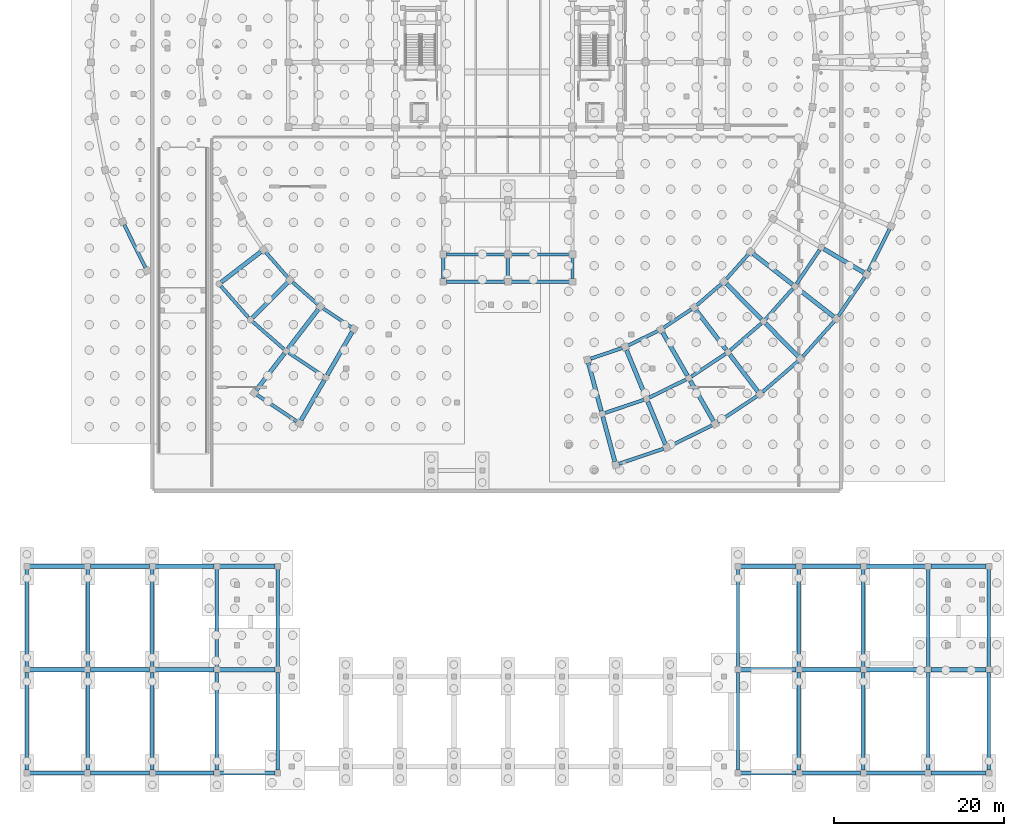
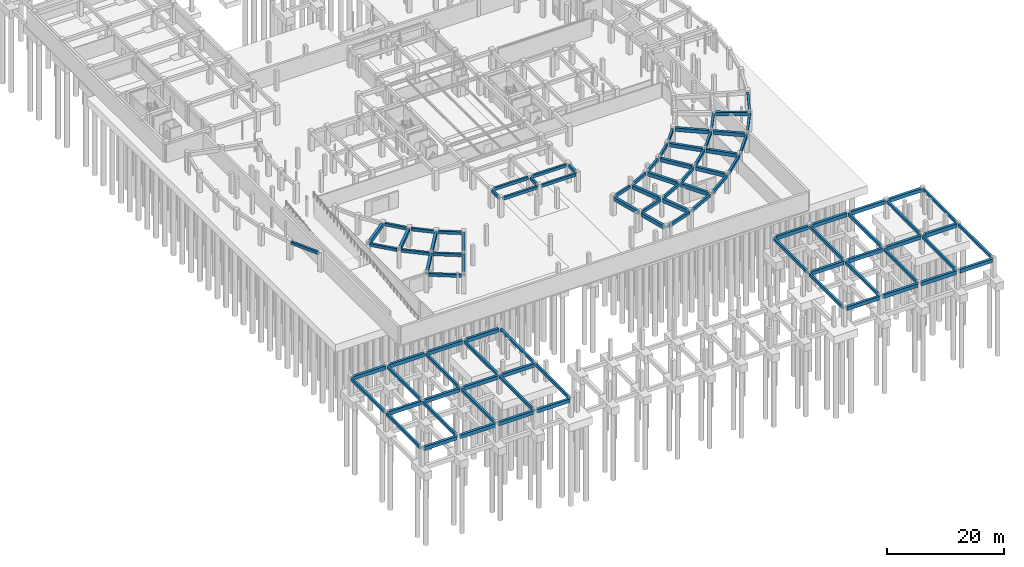
# One storey, part 18 of 33: 96 beams.
"""IFC4 building model written with IfcOpenShell, lengths in metres."""

import ifcopenshell
import ifcopenshell.guid

model = None  # the IFC model being written
_history = None  # IfcOwnerHistory: only IFC2X3 demands one
_inside = {}  # id of a spatial element -> (the spatial element, [elements in it])
_under = {}  # id of a project, library or spatial element -> (it, [spatial elements below it])
_declared = {}  # id of a project -> (the project, [libraries it declares])
_typed = {}  # id of a type object -> (the type object, [elements of that type])
_made_of = {}  # id of a material, layer set ... -> (it, [elements and type objects made of it])


def new_model(schema):
    """Start an empty IFC model of exactly this schema.

    Asked for "IFC4X3", IfcOpenShell would pick the latest addendum, in which some entities
    have other attributes; the version numbers below select the first issue.
    IFC2X3 requires an IfcOwnerHistory on every rooted entity: one is made here for all.
    """
    global model, _history
    if schema == "IFC4X3":
        model = ifcopenshell.file(schema_version=(4, 3, 0, 0))
    else:
        model = ifcopenshell.file(schema=schema)
    _inside.clear()
    _under.clear()
    _declared.clear()
    _typed.clear()
    _made_of.clear()
    _history = None
    if model.schema == "IFC2X3":
        org = make("IfcOrganization", Name="unknown")
        user = make(
            "IfcPersonAndOrganization",
            ThePerson=make("IfcPerson", FamilyName="unknown"),
            TheOrganization=org,
        )
        app = make(
            "IfcApplication",
            ApplicationDeveloper=org,
            Version="unknown",
            ApplicationFullName="unknown",
            ApplicationIdentifier="unknown",
        )
        _history = make(
            "IfcOwnerHistory",
            OwningUser=user,
            OwningApplication=app,
            ChangeAction="ADDED",
            CreationDate=0,
        )
    return model


def make(cls, **values):
    """One entity of the class cls with the attributes given. An attribute that is None is left unset."""
    return model.create_entity(
        cls, **{name: value for name, value in values.items() if value is not None}
    )


def rooted(cls, **values):
    """An entity with a GlobalId (a new one), such as an element, a storey or a relation."""
    return make(cls, GlobalId=ifcopenshell.guid.new(), OwnerHistory=_history, **values)


def si_unit(unit_type, name, prefix=None):
    """IfcSIUnit, for example si_unit("LENGTHUNIT", "METRE", prefix="MILLI")."""
    return make("IfcSIUnit", UnitType=unit_type, Prefix=prefix, Name=name)


def assignment(units):
    """IfcUnitAssignment: the units of a project."""
    return None if units is None else make("IfcUnitAssignment", Units=units)


def point(xyz):
    """IfcCartesianPoint."""
    return None if xyz is None else make("IfcCartesianPoint", Coordinates=xyz)


def direction(xyz):
    """IfcDirection."""
    return None if xyz is None else make("IfcDirection", DirectionRatios=xyz)


def frame(location, z_axis=None, x_axis=None):
    """IfcAxis2Placement3D, a coordinate frame: its origin and axes. An axis left out is left unset."""
    return make(
        "IfcAxis2Placement3D",
        Location=point(location),
        Axis=direction(z_axis),
        RefDirection=direction(x_axis),
    )


def frame_2d(location, x_axis=None):
    """IfcAxis2Placement2D, a coordinate frame in the plane: its origin and x axis."""
    return make(
        "IfcAxis2Placement2D", Location=point(location), RefDirection=direction(x_axis)
    )


def origin():
    """The frame at (0, 0, 0) with its axes left unset."""
    return frame((0.0, 0.0, 0.0))


def origin_2d():
    """The frame at (0, 0) in the plane with its x axis left unset."""
    return frame_2d((0.0, 0.0))


def place(relative_to, where):
    """IfcLocalPlacement: puts the frame where relative to a parent placement (None: the world)."""
    return make(
        "IfcLocalPlacement", PlacementRelTo=relative_to, RelativePlacement=where
    )


def context(
    kind, dimensions, precision=None, world=None, true_north=None, identifier=None
):
    """IfcGeometricRepresentationContext, for example the 3D "Model" context."""
    return make(
        "IfcGeometricRepresentationContext",
        ContextIdentifier=identifier,
        ContextType=kind,
        CoordinateSpaceDimension=dimensions,
        Precision=precision,
        WorldCoordinateSystem=world,
        TrueNorth=true_north,
    )


def subcontext(parent, identifier, kind, view, scale=None):
    """IfcGeometricRepresentationSubContext, for example "Body" below "Model"."""
    return make(
        "IfcGeometricRepresentationSubContext",
        ContextIdentifier=identifier,
        ContextType=kind,
        ParentContext=parent,
        TargetScale=scale,
        TargetView=view,
    )


def project(units=None, contexts=None):
    """IfcProject with its units and contexts."""
    return rooted(
        "IfcProject",
        Name="project",
        RepresentationContexts=contexts,
        UnitsInContext=assignment(units),
    )


def spatial(cls, under=None, at=None, **own):
    """A site, building, storey or space (cls), placed at a placement, below another one or the project."""
    s = rooted(cls, ObjectPlacement=at, **own)
    if under is not None:
        _under.setdefault(under.id(), (under, []))[1].append(s)
    return s


def profile(cls, at=None, kind="AREA", **sizes):
    """A parametric profile (cls). Its sizes go by their IFC names, for example OverallWidth=200.0."""
    return make(cls, ProfileType=kind, Position=at, **sizes)


def rectangle(**sizes):
    """IfcRectangleProfileDef."""
    return profile("IfcRectangleProfileDef", **sizes)


def extrude(swept, where, along, depth):
    """IfcExtrudedAreaSolid: the profile swept, set in the frame where, extruded along a direction by depth."""
    return make(
        "IfcExtrudedAreaSolid",
        SweptArea=swept,
        Position=where,
        ExtrudedDirection=direction(along),
        Depth=depth,
    )


def shape(context_of_items, identifier, shape_type, items):
    """IfcShapeRepresentation: the items that make up one representation, for example the "Body"."""
    return make(
        "IfcShapeRepresentation",
        ContextOfItems=context_of_items,
        RepresentationIdentifier=identifier,
        RepresentationType=shape_type,
        Items=items,
    )


def material(Name=None, Category=None):
    """IfcMaterial."""
    return make("IfcMaterial", Name=Name, Category=Category)


def material_profile(
    of_material, cross_section, Name=None, Category=None, Priority=None
):
    """IfcMaterialProfile: a cross section and its material."""
    return make(
        "IfcMaterialProfile",
        Name=Name,
        Material=of_material,
        Profile=cross_section,
        Priority=Priority,
        Category=Category,
    )


def profile_set(profiles, Name=None, composite=None):
    """IfcMaterialProfileSet."""
    return make(
        "IfcMaterialProfileSet",
        Name=Name,
        MaterialProfiles=profiles,
        CompositeProfile=composite,
    )


def made_of(thing, what):
    """Note that an element or type object is made of a material, layer set ...; save() writes the relation."""
    if what is not None:
        _made_of.setdefault(what.id(), (what, []))[1].append(thing)
    return thing


def type_object(cls, material=None, **own):
    """A type object (cls), such as IfcWallType, which elements share."""
    return made_of(rooted(cls, **own), material)


def element(
    cls,
    number,
    at=None,
    inside=None,
    cuts=None,
    type_object=None,
    material=None,
    context=None,
    identifier="Body",
    shape_type=None,
    held_by="IfcProductDefinitionShape",
    body=None,
    shapes=None,
    **own,
):
    """One element of the class cls, such as IfcWall. Its Tag is "e" and its number.

    at: its placement. inside: the storey or other place that contains it. cuts: it is an
    opening in that element (IfcRelVoidsElement). A single representation is given by context,
    identifier, shape_type and body (its items); several are given by shapes. held_by: the class
    of the entity that holds the representations. save() writes the other relations.
    """
    e = rooted(cls, Tag="e%d" % number, ObjectPlacement=at, **own)
    if body is not None:
        shapes = [shape(context, identifier, shape_type, body)]
    if shapes is not None:
        e.Representation = make(held_by, Representations=shapes)
    if inside is not None:
        _inside.setdefault(inside.id(), (inside, []))[1].append(e)
    if cuts is not None:
        rooted(
            "IfcRelVoidsElement", RelatingBuildingElement=cuts, RelatedOpeningElement=e
        )
    if type_object is not None:
        _typed.setdefault(type_object.id(), (type_object, []))[1].append(e)
    return made_of(e, material)


def aggregate(whole, parts):
    """IfcRelAggregates: a whole, such as a stair, and the parts it consists of."""
    return rooted("IfcRelAggregates", RelatingObject=whole, RelatedObjects=parts)


def save(model, path):
    """Write the relations noted so far, then the file.

    IfcRelAggregates (storeys below a building ...), IfcRelContainedInSpatialStructure (elements
    in a storey), IfcRelDefinesByType, IfcRelAssociatesMaterial and IfcRelDeclares: one each for
    every whole, place, type object, material and project.
    """
    for whole, parts in _under.values():
        aggregate(whole, parts)
    for where, things in _inside.values():
        rooted(
            "IfcRelContainedInSpatialStructure",
            RelatedElements=things,
            RelatingStructure=where,
        )
    for kind, things in _typed.values():
        rooted("IfcRelDefinesByType", RelatedObjects=things, RelatingType=kind)
    for what, things in _made_of.values():
        rooted("IfcRelAssociatesMaterial", RelatedObjects=things, RelatingMaterial=what)
    for by, libraries in _declared.values():
        rooted("IfcRelDeclares", RelatingContext=by, RelatedDefinitions=libraries)
    model.write(path)


model = new_model("IFC4")

# Units and contexts
model_context = context("Model", 3, precision=1e-05, world=origin(), true_north=direction((0.0, 1.0)))
body_context = subcontext(model_context, "Body", "Model", "MODEL_VIEW")
ifc_project = project(units=[si_unit("LENGTHUNIT", "METRE"), si_unit("AREAUNIT", "SQUARE_METRE"), si_unit("VOLUMEUNIT", "CUBIC_METRE"), si_unit("PLANEANGLEUNIT", "RADIAN"), si_unit("MASSUNIT", "GRAM", prefix="KILO")], contexts=[model_context])

# Site, building, storey
site_placement = place(None, origin())
site = spatial("IfcSite", under=ifc_project, at=site_placement, CompositionType="ELEMENT")
building_placement = place(site_placement, origin())
building = spatial("IfcBuilding", under=site, at=building_placement, Name="Saryqyr Civic Hall", CompositionType="ELEMENT")
storey_placement = place(building_placement, frame((0.0, 0.0, -4.199951171875)))
storey = spatial("IfcBuildingStorey", under=building, at=storey_placement, Name="B1", CompositionType="ELEMENT", Elevation=-4.199951171875)

# Beams
ifc_material_1 = material(Name="Concrete C35/45", Category="concrete")
ifc_material_profile_1 = material_profile(ifc_material_1, rectangle(XDim=0.39990234375, YDim=0.60009765625, at=origin_2d()), Name="RC 400x600")
ifc_profile_set_1 = profile_set([ifc_material_profile_1], Name="Concrete C35/45")
beam_type_1 = type_object("IfcBeamType", Name="STR-BM-RC400x600", PredefinedType="BEAM", material=ifc_profile_set_1)
for number, where, z_axis, x_axis, name in (
    (1, (49.39990234375, 58.574951171875, 3.579833984375), (0.0, 1.0, 0.0), (-1.0, 0.0, 0.0), "Beam V1-TBM-07-B1"),
    (2, (57.0, 58.574951171875, 3.579833984375), (0.0, 1.0, 0.0), (-1.0, 0.0, 0.0), "Beam V1-TBM-08-B1"),
    (3, (64.60009765625, 58.574951171875, 3.579833984375), (0.0, 1.0, 0.0), (-1.0, 0.0, 0.0), "Beam V1-TBM-09-B1"),
):
    element("IfcBeam", number, at=place(storey_placement, frame(where, z_axis=z_axis, x_axis=x_axis)), inside=storey, type_object=beam_type_1, Name=name, PredefinedType="BEAM", context=body_context, shape_type="SweptSolid", body=[
        extrude(rectangle(XDim=0.39990234375, YDim=0.60009765625, at=origin_2d()), origin(), (0.0, 0.0, 1.0), 2.449951171875),
    ])
for number, where, z_axis, x_axis, name in (
    (4, (49.77490234375, 58.199951171875, 3.579833984375), (1.0, 0.0, 0.0), (0.0, 1.0, 0.0), "Beam V1-TBM-17-B1"),
    (5, (57.375, 58.199951171875, 3.579833984375), (1.0, 0.0, 0.0), (0.0, 1.0, 0.0), "Beam V1-TBM-18-B1"),
    (6, (49.77490234375, 61.39990234375, 3.579833984375), (1.0, 0.0, 0.0), (0.0, 1.0, 0.0), "Beam V1-TBM-37-B1"),
    (7, (57.375, 61.39990234375, 3.579833984375), (1.0, 0.0, 0.0), (0.0, 1.0, 0.0), "Beam V1-TBM-38-B1"),
):
    element("IfcBeam", number, at=place(storey_placement, frame(where, z_axis=z_axis, x_axis=x_axis)), inside=storey, type_object=beam_type_1, Name=name, PredefinedType="BEAM", context=body_context, shape_type="SweptSolid", body=[
        extrude(rectangle(XDim=0.39990234375, YDim=0.60009765625, at=origin_2d()), origin(), (0.0, 0.0, 1.0), 6.85009765625),
    ])
for number, where, z_axis, x_axis, name in (
    (8, (23.275390625, 57.681884765625, 3.579833984375), (0.659287582, -0.751890872547, 0.0), (0.751890872547, 0.659287582, 0.0), "Beam V4-CBM-MID07-B1"),
    (9, (26.998779296875, 53.5048828125, 3.579833984375), (0.751890872547, -0.659287582, 0.0), (0.659287582, 0.751890872547, 0.0), "Beam V4-CBM-MID08-B1"),
    (10, (31.236083984375, 49.85009765625, 3.579833984375), (0.831474774382, -0.555562507345, 0.0), (0.555562507345, 0.831474774382, 0.0), "Beam V4-CBM-MID09-B1"),
):
    element("IfcBeam", number, at=place(storey_placement, frame(where, z_axis=z_axis, x_axis=x_axis)), inside=storey, type_object=beam_type_1, Name=name, PredefinedType="BEAM", context=body_context, shape_type="SweptSolid", body=[
        extrude(rectangle(XDim=0.39990234375, YDim=0.60009765625, at=origin_2d()), origin(), (0.0, 0.0, 1.0), 4.8984375),
    ])
for number, where, z_axis, x_axis, name in (
    (11, (68.408935546875, 42.7705078125, 3.579833984375), (0.947191159228, 0.320669468268, 0.0), (-0.320669468268, 0.947191159228, 0.0), "Beam V5-CBM-MID00-B1"),
    (12, (73.627685546875, 44.5849609375, 3.579833984375), (0.897959126553, 0.440078864568, 0.0), (-0.440078864568, 0.897959126553, 0.0), "Beam V5-CBM-MID01-B1"),
    (13, (78.56884765625, 47.056640625, 3.579833984375), (0.833757954483, 0.552130123555, 0.0), (-0.552130123555, 0.833757954483, 0.0), "Beam V5-CBM-MID02-B1"),
    (14, (83.150390625, 50.14453125, 3.579833984375), (0.755632347986, 0.654995995925, 0.0), (-0.654995995925, 0.755632347986, 0.0), "Beam V5-CBM-MID03-B1"),
):
    element("IfcBeam", number, at=place(storey_placement, frame(where, z_axis=z_axis, x_axis=x_axis)), inside=storey, type_object=beam_type_1, Name=name, PredefinedType="BEAM", context=body_context, shape_type="SweptSolid", body=[
        extrude(rectangle(XDim=0.39990234375, YDim=0.60009765625, at=origin_2d()), origin(), (0.0, 0.0, 1.0), 4.82763671875),
    ])
beam_1_placement = place(storey_placement, frame((87.29541015625, 53.797119140625, 3.579833984375), z_axis=(0.664931763448, 0.746904110284, 0.0), x_axis=(-0.746904110284, 0.664931763448, 0.0)))
element("IfcBeam", 15, at=beam_1_placement, inside=storey, type_object=beam_type_1, Name="Beam V5-CBM-MID04-B1", PredefinedType="BEAM", context=body_context, shape_type="SweptSolid", body=[
    extrude(rectangle(XDim=0.39990234375, YDim=0.60009765625, at=origin_2d()), origin(), (0.0, 0.0, 1.0), 4.827880859375),
])
beam_2_placement = place(storey_placement, frame((90.935546875, 57.95361328125, 3.579833984375), z_axis=(0.563109268965, 0.82638244851, 0.0), x_axis=(-0.82638244851, 0.563109268965, 0.0)))
element("IfcBeam", 16, at=beam_2_placement, inside=storey, type_object=beam_type_1, Name="Beam V5-CBM-MID05-B1", PredefinedType="BEAM", context=body_context, shape_type="SweptSolid", body=[
    extrude(rectangle(XDim=0.39990234375, YDim=0.60009765625, at=origin_2d()), origin(), (0.0, 0.0, 1.0), 4.82763671875),
])
for number, where, z_axis, x_axis, name in (
    (17, (0.449951171875, 0.77490234375, 3.579833984375), (0.0, 1.0, 0.0), (-1.0, 0.0, 0.0), "Beam V7W-BM-NS11-B1"),
    (18, (0.449951171875, 12.925048828125, 3.579833984375), (0.0, 1.0, 0.0), (-1.0, 0.0, 0.0), "Beam V7W-BM-NS12-B1"),
    (19, (7.60009765625, 0.77490234375, 3.579833984375), (0.0, 1.0, 0.0), (-1.0, 0.0, 0.0), "Beam V7W-BM-NS21-B1"),
    (20, (7.60009765625, 12.925048828125, 3.579833984375), (0.0, 1.0, 0.0), (-1.0, 0.0, 0.0), "Beam V7W-BM-NS22-B1"),
    (21, (15.199951171875, 0.77490234375, 3.579833984375), (0.0, 1.0, 0.0), (-1.0, 0.0, 0.0), "Beam V7W-BM-NS31-B1"),
    (22, (15.199951171875, 12.925048828125, 3.579833984375), (0.0, 1.0, 0.0), (-1.0, 0.0, 0.0), "Beam V7W-BM-NS32-B1"),
    (23, (22.800048828125, 0.77490234375, 3.579833984375), (0.0, 1.0, 0.0), (-1.0, 0.0, 0.0), "Beam V7W-BM-NS41-B1"),
    (24, (22.800048828125, 12.925048828125, 3.579833984375), (0.0, 1.0, 0.0), (-1.0, 0.0, 0.0), "Beam V7W-BM-NS42-B1"),
    (25, (29.949951171875, 0.77490234375, 3.579833984375), (0.0, 1.0, 0.0), (-1.0, 0.0, 0.0), "Beam V7W-BM-NS51-B1"),
    (26, (29.949951171875, 12.925048828125, 3.579833984375), (0.0, 1.0, 0.0), (-1.0, 0.0, 0.0), "Beam V7W-BM-NS52-B1"),
    (27, (84.050048828125, 0.77490234375, 3.579833984375), (0.0, 1.0, 0.0), (-1.0, 0.0, 0.0), "Beam V7E-BM-NS11-B1"),
    (28, (84.050048828125, 12.925048828125, 3.579833984375), (0.0, 1.0, 0.0), (-1.0, 0.0, 0.0), "Beam V7E-BM-NS12-B1"),
    (29, (91.199951171875, 0.77490234375, 3.579833984375), (0.0, 1.0, 0.0), (-1.0, 0.0, 0.0), "Beam V7E-BM-NS21-B1"),
    (30, (91.199951171875, 12.925048828125, 3.579833984375), (0.0, 1.0, 0.0), (-1.0, 0.0, 0.0), "Beam V7E-BM-NS22-B1"),
    (31, (98.800048828125, 0.77490234375, 3.579833984375), (0.0, 1.0, 0.0), (-1.0, 0.0, 0.0), "Beam V7E-BM-NS31-B1"),
    (32, (98.800048828125, 12.925048828125, 3.579833984375), (0.0, 1.0, 0.0), (-1.0, 0.0, 0.0), "Beam V7E-BM-NS32-B1"),
    (33, (106.39990234375, 0.77490234375, 3.579833984375), (0.0, 1.0, 0.0), (-1.0, 0.0, 0.0), "Beam V7E-BM-NS41-B1"),
    (34, (106.39990234375, 12.925048828125, 3.579833984375), (0.0, 1.0, 0.0), (-1.0, 0.0, 0.0), "Beam V7E-BM-NS42-B1"),
    (35, (113.550048828125, 0.77490234375, 3.579833984375), (0.0, 1.0, 0.0), (-1.0, 0.0, 0.0), "Beam V7E-BM-NS51-B1"),
    (36, (113.550048828125, 12.925048828125, 3.579833984375), (0.0, 1.0, 0.0), (-1.0, 0.0, 0.0), "Beam V7E-BM-NS52-B1"),
):
    element("IfcBeam", number, at=place(storey_placement, frame(where, z_axis=z_axis, x_axis=x_axis)), inside=storey, type_object=beam_type_1, Name=name, PredefinedType="BEAM", context=body_context, shape_type="SweptSolid", body=[
        extrude(rectangle(XDim=0.39990234375, YDim=0.60009765625, at=origin_2d()), origin(), (0.0, 0.0, 1.0), 11.5),
    ])
ifc_material_profile_2 = material_profile(ifc_material_1, rectangle(XDim=0.39990234375, YDim=0.60009765625, at=origin_2d()), Name="RC 400x600")
ifc_profile_set_2 = profile_set([ifc_material_profile_2], Name="Concrete C35/45")
beam_type_2 = type_object("IfcBeamType", Name="STR-BM-RC400x600-EXT", PredefinedType="BEAM", material=ifc_profile_set_2)
beam_3_placement = place(storey_placement, frame((11.895751953125, 64.912109375, 3.579833984375), z_axis=(0.44228915683, -0.896872511426, 0.0), x_axis=(0.896872511426, 0.44228915683, 0.0)))
element("IfcBeam", 37, at=beam_3_placement, inside=storey, type_object=beam_type_2, Name="Beam V4-CBM-OUT05-B1", PredefinedType="BEAM", context=body_context, shape_type="SweptSolid", body=[
    extrude(rectangle(XDim=0.39990234375, YDim=0.60009765625, at=origin_2d()), origin(), (0.0, 0.0, 1.0), 5.65966796875),
])
for number, where, z_axis, x_axis, name in (
    (38, (28.52783203125, 61.680908203125, 3.579833984375), (0.659341239678, -0.751843819992, 0.0), (0.751843819992, 0.659341239678, 0.0), "Beam V4-CBM-IN07-B1"),
    (39, (31.6845703125, 58.155517578125, 3.579833984375), (0.751843819992, -0.659341239678, 0.0), (0.659341239678, 0.751843819992, 0.0), "Beam V4-CBM-IN08-B1"),
):
    element("IfcBeam", number, at=place(storey_placement, frame(where, z_axis=z_axis, x_axis=x_axis)), inside=storey, type_object=beam_type_2, Name=name, PredefinedType="BEAM", context=body_context, shape_type="SweptSolid", body=[
        extrude(rectangle(XDim=0.39990234375, YDim=0.60009765625, at=origin_2d()), origin(), (0.0, 0.0, 1.0), 3.9853515625),
    ])
beam_4_placement = place(storey_placement, frame((35.274658203125, 55.072265625, 3.579833984375), z_axis=(0.831456041641, -0.555590542414, 0.0), x_axis=(0.555590542414, 0.831456041641, 0.0)))
element("IfcBeam", 40, at=beam_4_placement, inside=storey, type_object=beam_type_2, Name="Beam V4-CBM-IN09-B1", PredefinedType="BEAM", context=body_context, shape_type="SweptSolid", body=[
    extrude(rectangle(XDim=0.39990234375, YDim=0.60009765625, at=origin_2d()), origin(), (0.0, 0.0, 1.0), 3.985107421875),
])
beam_5_placement = place(storey_placement, frame((27.482421875, 44.91748046875, 3.579833984375), z_axis=(0.831472466732, -0.55556596104, 0.0), x_axis=(0.55556596104, 0.831472466732, 0.0)))
element("IfcBeam", 41, at=beam_5_placement, inside=storey, type_object=beam_type_2, Name="Beam V4-CBM-OUT09-B1", PredefinedType="BEAM", context=body_context, shape_type="SweptSolid", body=[
    extrude(rectangle(XDim=0.39990234375, YDim=0.60009765625, at=origin_2d()), origin(), (0.0, 0.0, 1.0), 5.65966796875),
])
beam_6_placement = place(storey_placement, frame((66.724365234375, 49.15380859375, 3.579833984375), z_axis=(0.947205217556, 0.320627939885, 0.0), x_axis=(-0.320627939885, 0.947205217556, 0.0)))
element("IfcBeam", 42, at=beam_6_placement, inside=storey, type_object=beam_type_2, Name="Beam V5-CBM-IN00-B1", PredefinedType="BEAM", context=body_context, shape_type="SweptSolid", body=[
    extrude(rectangle(XDim=0.39990234375, YDim=0.60009765625, at=origin_2d()), origin(), (0.0, 0.0, 1.0), 3.92529296875),
])
beam_7_placement = place(storey_placement, frame((70.037353515625, 36.789794921875, 3.579833984375), z_axis=(0.947193680786, 0.320662020012, 0.0), x_axis=(-0.320662020012, 0.947193680786, 0.0)))
element("IfcBeam", 43, at=beam_7_placement, inside=storey, type_object=beam_type_2, Name="Beam V5-CBM-OUT00-B1", PredefinedType="BEAM", context=body_context, shape_type="SweptSolid", body=[
    extrude(rectangle(XDim=0.39990234375, YDim=0.60009765625, at=origin_2d()), origin(), (0.0, 0.0, 1.0), 5.57861328125),
])
beam_8_placement = place(storey_placement, frame((71.134521484375, 50.697509765625, 3.579833984375), z_axis=(0.897944339492, 0.440109035551, 0.0), x_axis=(-0.440109035551, 0.897944339492, 0.0)))
element("IfcBeam", 44, at=beam_8_placement, inside=storey, type_object=beam_type_2, Name="Beam V5-CBM-IN01-B1", PredefinedType="BEAM", context=body_context, shape_type="SweptSolid", body=[
    extrude(rectangle(XDim=0.39990234375, YDim=0.60009765625, at=origin_2d()), origin(), (0.0, 0.0, 1.0), 3.92529296875),
])
beam_9_placement = place(storey_placement, frame((76.01318359375, 38.864013671875, 3.579833984375), z_axis=(0.897987188785, 0.440021600353, 0.0), x_axis=(-0.440021600353, 0.897987188785, 0.0)))
element("IfcBeam", 45, at=beam_9_placement, inside=storey, type_object=beam_type_2, Name="Beam V5-CBM-OUT01-B1", PredefinedType="BEAM", context=body_context, shape_type="SweptSolid", body=[
    extrude(rectangle(XDim=0.39990234375, YDim=0.60009765625, at=origin_2d()), origin(), (0.0, 0.0, 1.0), 5.578369140625),
])
beam_10_placement = place(storey_placement, frame((75.30859375, 52.797119140625, 3.579833984375), z_axis=(0.83375915451, 0.55212831142, 0.0), x_axis=(-0.55212831142, 0.83375915451, 0.0)))
element("IfcBeam", 46, at=beam_10_placement, inside=storey, type_object=beam_type_2, Name="Beam V5-CBM-IN02-B1", PredefinedType="BEAM", context=body_context, shape_type="SweptSolid", body=[
    extrude(rectangle(XDim=0.39990234375, YDim=0.60009765625, at=origin_2d()), origin(), (0.0, 0.0, 1.0), 3.92529296875),
])
beam_11_placement = place(storey_placement, frame((81.671875, 41.690673828125, 3.579833984375), z_axis=(0.833756519885, 0.552132289899, 0.0), x_axis=(-0.552132289899, 0.833756519885, 0.0)))
element("IfcBeam", 47, at=beam_11_placement, inside=storey, type_object=beam_type_2, Name="Beam V5-CBM-OUT02-B1", PredefinedType="BEAM", context=body_context, shape_type="SweptSolid", body=[
    extrude(rectangle(XDim=0.39990234375, YDim=0.60009765625, at=origin_2d()), origin(), (0.0, 0.0, 1.0), 5.57861328125),
])
beam_12_placement = place(storey_placement, frame((79.177490234375, 55.4169921875, 3.579833984375), z_axis=(0.755662402658, 0.654961321919, 0.0), x_axis=(-0.654961321919, 0.755662402658, 0.0)))
element("IfcBeam", 48, at=beam_12_placement, inside=storey, type_object=beam_type_2, Name="Beam V5-CBM-IN03-B1", PredefinedType="BEAM", context=body_context, shape_type="SweptSolid", body=[
    extrude(rectangle(XDim=0.39990234375, YDim=0.60009765625, at=origin_2d()), origin(), (0.0, 0.0, 1.0), 3.925048828125),
])
beam_13_placement = place(storey_placement, frame((86.9189453125, 45.223388671875, 3.579833984375), z_axis=(0.755642872399, 0.654983854299, 0.0), x_axis=(-0.654983854299, 0.755642872399, 0.0)))
element("IfcBeam", 49, at=beam_13_placement, inside=storey, type_object=beam_type_2, Name="Beam V5-CBM-OUT03-B1", PredefinedType="BEAM", context=body_context, shape_type="SweptSolid", body=[
    extrude(rectangle(XDim=0.39990234375, YDim=0.60009765625, at=origin_2d()), origin(), (0.0, 0.0, 1.0), 5.578369140625),
])
beam_14_placement = place(storey_placement, frame((82.67626953125, 58.513671875, 3.579833984375), z_axis=(0.664962016437, 0.746877176446, 0.0), x_axis=(-0.746877176446, 0.664962016437, 0.0)))
element("IfcBeam", 50, at=beam_14_placement, inside=storey, type_object=beam_type_2, Name="Beam V5-CBM-IN04-B1", PredefinedType="BEAM", context=body_context, shape_type="SweptSolid", body=[
    extrude(rectangle(XDim=0.39990234375, YDim=0.60009765625, at=origin_2d()), origin(), (0.0, 0.0, 1.0), 3.92529296875),
])
beam_15_placement = place(storey_placement, frame((91.6669921875, 49.40283203125, 3.579833984375), z_axis=(0.664931393167, 0.746904439926, 0.0), x_axis=(-0.746904439926, 0.664931393167, 0.0)))
element("IfcBeam", 51, at=beam_15_placement, inside=storey, type_object=beam_type_2, Name="Beam V5-CBM-OUT04-B1", PredefinedType="BEAM", context=body_context, shape_type="SweptSolid", body=[
    extrude(rectangle(XDim=0.39990234375, YDim=0.60009765625, at=origin_2d()), origin(), (0.0, 0.0, 1.0), 5.578369140625),
])
beam_16_placement = place(storey_placement, frame((95.8369140625, 54.1591796875, 3.579833984375), z_axis=(0.563104590572, 0.826385636417, 0.0), x_axis=(-0.826385636417, 0.563104590572, 0.0)))
element("IfcBeam", 52, at=beam_16_placement, inside=storey, type_object=beam_type_2, Name="Beam V5-CBM-OUT05-B1", PredefinedType="BEAM", context=body_context, shape_type="SweptSolid", body=[
    extrude(rectangle(XDim=0.39990234375, YDim=0.60009765625, at=origin_2d()), origin(), (0.0, 0.0, 1.0), 5.57861328125),
])
beam_17_placement = place(storey_placement, frame((99.35888671875, 59.41357421875, 3.579833984375), z_axis=(0.451916501915, 0.892060241966, 0.0), x_axis=(-0.892060241966, 0.451916501915, 0.0)))
element("IfcBeam", 53, at=beam_17_placement, inside=storey, type_object=beam_type_2, Name="Beam V5-CBM-OUT06-B1", PredefinedType="BEAM", context=body_context, shape_type="SweptSolid", body=[
    extrude(rectangle(XDim=0.39990234375, YDim=0.60009765625, at=origin_2d()), origin(), (0.0, 0.0, 1.0), 5.578369140625),
])
ifc_material_2 = material(Name="Concrete C40/50", Category="concrete")
ifc_material_profile_3 = material_profile(ifc_material_2, rectangle(XDim=0.5, YDim=0.75, at=origin_2d()), Name="RC 500x750")
ifc_profile_set_3 = profile_set([ifc_material_profile_3], Name="Concrete C40/50")
beam_type_3 = type_object("IfcBeamType", Name="STR-BM-RC500x750", PredefinedType="BEAM", material=ifc_profile_set_3)
beam_18_placement = place(storey_placement, frame((27.983154296875, 61.734619140625, 3.5048828125), z_axis=(-0.793354133616, -0.608760395126, 0.0), x_axis=(0.608760395126, -0.793354133616, 0.0)))
element("IfcBeam", 54, at=beam_18_placement, inside=storey, type_object=beam_type_3, Name="Beam V4-RBM-A07-B1", PredefinedType="BEAM", context=body_context, shape_type="SweptSolid", body=[
    extrude(rectangle(XDim=0.5, YDim=0.75, at=origin_2d()), origin(), (0.0, 0.0, 1.0), 5.875),
])
beam_19_placement = place(storey_placement, frame((31.137451171875, 58.137451171875, 3.5048828125), z_axis=(-0.707106781187, -0.707106781187, 0.0), x_axis=(0.707106781187, -0.707106781187, 0.0)))
element("IfcBeam", 55, at=beam_19_placement, inside=storey, type_object=beam_type_3, Name="Beam V4-RBM-A08-B1", PredefinedType="BEAM", context=body_context, shape_type="SweptSolid", body=[
    extrude(rectangle(XDim=0.5, YDim=0.75, at=origin_2d()), origin(), (0.0, 0.0, 1.0), 5.874755859375),
])
beam_20_placement = place(storey_placement, frame((34.734619140625, 54.983154296875, 3.5048828125), z_axis=(-0.608760395126, -0.793354133616, 0.0), x_axis=(0.793354133616, -0.608760395126, 0.0)))
element("IfcBeam", 56, at=beam_20_placement, inside=storey, type_object=beam_type_3, Name="Beam V4-RBM-A09-B1", PredefinedType="BEAM", context=body_context, shape_type="SweptSolid", body=[
    extrude(rectangle(XDim=0.5, YDim=0.75, at=origin_2d()), origin(), (0.0, 0.0, 1.0), 5.875),
])
beam_21_placement = place(storey_placement, frame((30.73193359375, 49.766845703125, 3.5048828125), z_axis=(-0.608753520855, -0.793359408369, 0.0), x_axis=(0.793359408369, -0.608753520855, 0.0)))
element("IfcBeam", 57, at=beam_21_placement, inside=storey, type_object=beam_type_3, Name="Beam V4-RBM-B09-B1", PredefinedType="BEAM", context=body_context, shape_type="SweptSolid", body=[
    extrude(rectangle(XDim=0.5, YDim=0.75, at=origin_2d()), origin(), (0.0, 0.0, 1.0), 5.47509765625),
])
beam_22_placement = place(storey_placement, frame((38.71240234375, 52.3251953125, 3.5048828125), z_axis=(-0.500000635496, -0.86602503688, 0.0), x_axis=(0.86602503688, -0.500000635496, 0.0)))
element("IfcBeam", 58, at=beam_22_placement, inside=storey, type_object=beam_type_3, Name="Beam V4-RBM-A10-B1", PredefinedType="BEAM", context=body_context, shape_type="SweptSolid", body=[
    extrude(rectangle(XDim=0.5, YDim=0.75, at=origin_2d()), origin(), (0.0, 0.0, 1.0), 5.875),
])
beam_23_placement = place(storey_placement, frame((35.425048828125, 46.631103515625, 3.5048828125), z_axis=(-0.500009378393, -0.866019989099, 0.0), x_axis=(0.866019989099, -0.500009378393, 0.0)))
element("IfcBeam", 59, at=beam_23_placement, inside=storey, type_object=beam_type_3, Name="Beam V4-RBM-B10-B1", PredefinedType="BEAM", context=body_context, shape_type="SweptSolid", body=[
    extrude(rectangle(XDim=0.5, YDim=0.75, at=origin_2d()), origin(), (0.0, 0.0, 1.0), 5.47509765625),
])
beam_24_placement = place(storey_placement, frame((66.46630859375, 48.67138671875, 3.5048828125), z_axis=(0.258810863021, -0.965928018634, 0.0), x_axis=(0.965928018634, 0.258810863021, 0.0)))
element("IfcBeam", 60, at=beam_24_placement, inside=storey, type_object=beam_type_3, Name="Beam V5-RBM-A00-B1", PredefinedType="BEAM", context=body_context, shape_type="SweptSolid", body=[
    extrude(rectangle(XDim=0.5, YDim=0.75, at=origin_2d()), origin(), (0.0, 0.0, 1.0), 5.875),
])
beam_25_placement = place(storey_placement, frame((68.168212890625, 42.3203125, 3.5048828125), z_axis=(0.258764317977, -0.965940488716, 0.0), x_axis=(0.965940488716, 0.258764317977, 0.0)))
element("IfcBeam", 61, at=beam_25_placement, inside=storey, type_object=beam_type_3, Name="Beam V5-RBM-B00-B1", PredefinedType="BEAM", context=body_context, shape_type="SweptSolid", body=[
    extrude(rectangle(XDim=0.5, YDim=0.75, at=origin_2d()), origin(), (0.0, 0.0, 1.0), 5.47509765625),
])
beam_26_placement = place(storey_placement, frame((70.940673828125, 50.185791015625, 3.5048828125), z_axis=(0.381157342836, -0.924510183828, 0.0), x_axis=(0.924510183828, 0.381157342836, 0.0)))
element("IfcBeam", 62, at=beam_26_placement, inside=storey, type_object=beam_type_3, Name="Beam V5-RBM-A01-B1", PredefinedType="BEAM", context=body_context, shape_type="SweptSolid", body=[
    extrude(rectangle(XDim=0.5, YDim=0.75, at=origin_2d()), origin(), (0.0, 0.0, 1.0), 5.875),
])
beam_27_placement = place(storey_placement, frame((73.44677734375, 44.107421875, 3.5048828125), z_axis=(0.381126561604, -0.924522873725, 0.0), x_axis=(0.924522873725, 0.381126561604, 0.0)))
element("IfcBeam", 63, at=beam_27_placement, inside=storey, type_object=beam_type_3, Name="Beam V5-RBM-B01-B1", PredefinedType="BEAM", context=body_context, shape_type="SweptSolid", body=[
    extrude(rectangle(XDim=0.5, YDim=0.75, at=origin_2d()), origin(), (0.0, 0.0, 1.0), 5.47509765625),
])
beam_28_placement = place(storey_placement, frame((75.182373046875, 52.2646484375, 3.5048828125), z_axis=(0.497127635759, -0.867677424948, 0.0), x_axis=(0.867677424948, 0.497127635759, 0.0)))
element("IfcBeam", 64, at=beam_28_placement, inside=storey, type_object=beam_type_3, Name="Beam V5-RBM-A02-B1", PredefinedType="BEAM", context=body_context, shape_type="SweptSolid", body=[
    extrude(rectangle(XDim=0.5, YDim=0.75, at=origin_2d()), origin(), (0.0, 0.0, 1.0), 5.875),
])
beam_29_placement = place(storey_placement, frame((78.450927734375, 46.559814453125, 3.5048828125), z_axis=(0.497099053625, -0.867693800188, 0.0), x_axis=(0.867693800188, 0.497099053625, 0.0)))
element("IfcBeam", 65, at=beam_29_placement, inside=storey, type_object=beam_type_3, Name="Beam V5-RBM-B02-B1", PredefinedType="BEAM", context=body_context, shape_type="SweptSolid", body=[
    extrude(rectangle(XDim=0.5, YDim=0.75, at=origin_2d()), origin(), (0.0, 0.0, 1.0), 5.47509765625),
])
beam_30_placement = place(storey_placement, frame((79.120849609375, 54.872802734375, 3.5048828125), z_axis=(0.604802960265, -0.796375149822, 0.0), x_axis=(0.796375149822, 0.604802960265, 0.0)))
element("IfcBeam", 66, at=beam_30_placement, inside=storey, type_object=beam_type_3, Name="Beam V5-RBM-A03-B1", PredefinedType="BEAM", context=body_context, shape_type="SweptSolid", body=[
    extrude(rectangle(XDim=0.5, YDim=0.75, at=origin_2d()), origin(), (0.0, 0.0, 1.0), 5.875),
])
beam_31_placement = place(storey_placement, frame((83.097412109375, 49.63671875, 3.5048828125), z_axis=(0.604783616815, -0.796389839734, 0.0), x_axis=(0.796389839734, 0.604783616815, 0.0)))
element("IfcBeam", 67, at=beam_31_placement, inside=storey, type_object=beam_type_3, Name="Beam V5-RBM-B03-B1", PredefinedType="BEAM", context=body_context, shape_type="SweptSolid", body=[
    extrude(rectangle(XDim=0.5, YDim=0.75, at=origin_2d()), origin(), (0.0, 0.0, 1.0), 5.47509765625),
])
beam_32_placement = place(storey_placement, frame((82.690185546875, 57.966552734375, 3.5048828125), z_axis=(0.702416308315, -0.711766344957, 0.0), x_axis=(0.711766344957, 0.702416308315, 0.0)))
element("IfcBeam", 68, at=beam_32_placement, inside=storey, type_object=beam_type_3, Name="Beam V5-RBM-A04-B1", PredefinedType="BEAM", context=body_context, shape_type="SweptSolid", body=[
    extrude(rectangle(XDim=0.5, YDim=0.75, at=origin_2d()), origin(), (0.0, 0.0, 1.0), 5.875),
])
beam_33_placement = place(storey_placement, frame((87.30859375, 53.28662109375, 3.5048828125), z_axis=(0.702409146473, -0.711773412647, 0.0), x_axis=(0.711773412647, 0.702409146473, 0.0)))
element("IfcBeam", 69, at=beam_33_placement, inside=storey, type_object=beam_type_3, Name="Beam V5-RBM-B04-B1", PredefinedType="BEAM", context=body_context, shape_type="SweptSolid", body=[
    extrude(rectangle(XDim=0.5, YDim=0.75, at=origin_2d()), origin(), (0.0, 0.0, 1.0), 5.47509765625),
])
beam_34_placement = place(storey_placement, frame((85.831298828125, 61.494873046875, 3.5048828125), z_axis=(0.788276945048, -0.615320613913, 0.0), x_axis=(0.615320613913, 0.788276945048, 0.0)))
element("IfcBeam", 70, at=beam_34_placement, inside=storey, type_object=beam_type_3, Name="Beam V5-RBM-A05-B1", PredefinedType="BEAM", context=body_context, shape_type="SweptSolid", body=[
    extrude(rectangle(XDim=0.5, YDim=0.75, at=origin_2d()), origin(), (0.0, 0.0, 1.0), 5.875),
])
for number, where, z_axis, x_axis, name in (
    (71, (91.014404296875, 57.448974609375, 3.5048828125), (0.788265665567, -0.615335063594, 0.0), (0.615335063594, 0.788265665567, 0.0), "Beam V5-RBM-B05-B1"),
    (72, (94.152587890625, 62.05419921875, 3.5048828125), (0.861009967126, -0.508588081369, 0.0), (0.508588081369, 0.861009967126, 0.0), "Beam V5-RBM-B06-B1"),
):
    element("IfcBeam", number, at=place(storey_placement, frame(where, z_axis=z_axis, x_axis=x_axis)), inside=storey, type_object=beam_type_3, Name=name, PredefinedType="BEAM", context=body_context, shape_type="SweptSolid", body=[
        extrude(rectangle(XDim=0.5, YDim=0.75, at=origin_2d()), origin(), (0.0, 0.0, 1.0), 5.474853515625),
    ])
beam_35_placement = place(storey_placement, frame((0.77490234375, 0.449951171875, 3.5048828125), z_axis=(1.0, 0.0, 0.0), x_axis=(0.0, 1.0, 0.0)))
element("IfcBeam", 73, at=beam_35_placement, inside=storey, type_object=beam_type_3, Name="Beam V7W-BM-EW11-B1", PredefinedType="BEAM", context=body_context, shape_type="SweptSolid", body=[
    extrude(rectangle(XDim=0.5, YDim=0.75, at=origin_2d()), origin(), (0.0, 0.0, 1.0), 6.5),
])
beam_36_placement = place(storey_placement, frame((7.925048828125, 0.449951171875, 3.5048828125), z_axis=(1.0, 0.0, 0.0), x_axis=(0.0, 1.0, 0.0)))
element("IfcBeam", 74, at=beam_36_placement, inside=storey, type_object=beam_type_3, Name="Beam V7W-BM-EW12-B1", PredefinedType="BEAM", context=body_context, shape_type="SweptSolid", body=[
    extrude(rectangle(XDim=0.5, YDim=0.75, at=origin_2d()), origin(), (0.0, 0.0, 1.0), 6.949951171875),
])
beam_37_placement = place(storey_placement, frame((15.52490234375, 0.449951171875, 3.5048828125), z_axis=(1.0, 0.0, 0.0), x_axis=(0.0, 1.0, 0.0)))
element("IfcBeam", 75, at=beam_37_placement, inside=storey, type_object=beam_type_3, Name="Beam V7W-BM-EW13-B1", PredefinedType="BEAM", context=body_context, shape_type="SweptSolid", body=[
    extrude(rectangle(XDim=0.5, YDim=0.75, at=origin_2d()), origin(), (0.0, 0.0, 1.0), 6.9501953125),
])
for number, where, z_axis, x_axis, name in (
    (76, (23.125, 0.449951171875, 3.5048828125), (1.0, 0.0, 0.0), (0.0, 1.0, 0.0), "Beam V7W-BM-EW14-B1"),
    (77, (0.77490234375, 12.60009765625, 3.5048828125), (1.0, 0.0, 0.0), (0.0, 1.0, 0.0), "Beam V7W-BM-EW21-B1"),
):
    element("IfcBeam", number, at=place(storey_placement, frame(where, z_axis=z_axis, x_axis=x_axis)), inside=storey, type_object=beam_type_3, Name=name, PredefinedType="BEAM", context=body_context, shape_type="SweptSolid", body=[
        extrude(rectangle(XDim=0.5, YDim=0.75, at=origin_2d()), origin(), (0.0, 0.0, 1.0), 6.5),
    ])
beam_38_placement = place(storey_placement, frame((7.925048828125, 12.60009765625, 3.5048828125), z_axis=(1.0, 0.0, 0.0), x_axis=(0.0, 1.0, 0.0)))
element("IfcBeam", 78, at=beam_38_placement, inside=storey, type_object=beam_type_3, Name="Beam V7W-BM-EW22-B1", PredefinedType="BEAM", context=body_context, shape_type="SweptSolid", body=[
    extrude(rectangle(XDim=0.5, YDim=0.75, at=origin_2d()), origin(), (0.0, 0.0, 1.0), 6.949951171875),
])
beam_39_placement = place(storey_placement, frame((15.52490234375, 12.60009765625, 3.5048828125), z_axis=(1.0, 0.0, 0.0), x_axis=(0.0, 1.0, 0.0)))
element("IfcBeam", 79, at=beam_39_placement, inside=storey, type_object=beam_type_3, Name="Beam V7W-BM-EW23-B1", PredefinedType="BEAM", context=body_context, shape_type="SweptSolid", body=[
    extrude(rectangle(XDim=0.5, YDim=0.75, at=origin_2d()), origin(), (0.0, 0.0, 1.0), 6.9501953125),
])
for number, where, z_axis, x_axis, name in (
    (80, (23.125, 12.60009765625, 3.5048828125), (1.0, 0.0, 0.0), (0.0, 1.0, 0.0), "Beam V7W-BM-EW24-B1"),
    (81, (0.77490234375, 24.75, 3.5048828125), (1.0, 0.0, 0.0), (0.0, 1.0, 0.0), "Beam V7W-BM-EW31-B1"),
):
    element("IfcBeam", number, at=place(storey_placement, frame(where, z_axis=z_axis, x_axis=x_axis)), inside=storey, type_object=beam_type_3, Name=name, PredefinedType="BEAM", context=body_context, shape_type="SweptSolid", body=[
        extrude(rectangle(XDim=0.5, YDim=0.75, at=origin_2d()), origin(), (0.0, 0.0, 1.0), 6.5),
    ])
beam_40_placement = place(storey_placement, frame((7.925048828125, 24.75, 3.5048828125), z_axis=(1.0, 0.0, 0.0), x_axis=(0.0, 1.0, 0.0)))
element("IfcBeam", 82, at=beam_40_placement, inside=storey, type_object=beam_type_3, Name="Beam V7W-BM-EW32-B1", PredefinedType="BEAM", context=body_context, shape_type="SweptSolid", body=[
    extrude(rectangle(XDim=0.5, YDim=0.75, at=origin_2d()), origin(), (0.0, 0.0, 1.0), 6.949951171875),
])
beam_41_placement = place(storey_placement, frame((15.52490234375, 24.75, 3.5048828125), z_axis=(1.0, 0.0, 0.0), x_axis=(0.0, 1.0, 0.0)))
element("IfcBeam", 83, at=beam_41_placement, inside=storey, type_object=beam_type_3, Name="Beam V7W-BM-EW33-B1", PredefinedType="BEAM", context=body_context, shape_type="SweptSolid", body=[
    extrude(rectangle(XDim=0.5, YDim=0.75, at=origin_2d()), origin(), (0.0, 0.0, 1.0), 6.9501953125),
])
for number, where, z_axis, x_axis, name in (
    (84, (23.125, 24.75, 3.5048828125), (1.0, 0.0, 0.0), (0.0, 1.0, 0.0), "Beam V7W-BM-EW34-B1"),
    (85, (84.375, 0.449951171875, 3.5048828125), (1.0, 0.0, 0.0), (0.0, 1.0, 0.0), "Beam V7E-BM-EW11-B1"),
):
    element("IfcBeam", number, at=place(storey_placement, frame(where, z_axis=z_axis, x_axis=x_axis)), inside=storey, type_object=beam_type_3, Name=name, PredefinedType="BEAM", context=body_context, shape_type="SweptSolid", body=[
        extrude(rectangle(XDim=0.5, YDim=0.75, at=origin_2d()), origin(), (0.0, 0.0, 1.0), 6.5),
    ])
beam_42_placement = place(storey_placement, frame((91.52490234375, 0.449951171875, 3.5048828125), z_axis=(1.0, 0.0, 0.0), x_axis=(0.0, 1.0, 0.0)))
element("IfcBeam", 86, at=beam_42_placement, inside=storey, type_object=beam_type_3, Name="Beam V7E-BM-EW12-B1", PredefinedType="BEAM", context=body_context, shape_type="SweptSolid", body=[
    extrude(rectangle(XDim=0.5, YDim=0.75, at=origin_2d()), origin(), (0.0, 0.0, 1.0), 6.9501953125),
])
beam_43_placement = place(storey_placement, frame((99.125, 0.449951171875, 3.5048828125), z_axis=(1.0, 0.0, 0.0), x_axis=(0.0, 1.0, 0.0)))
element("IfcBeam", 87, at=beam_43_placement, inside=storey, type_object=beam_type_3, Name="Beam V7E-BM-EW13-B1", PredefinedType="BEAM", context=body_context, shape_type="SweptSolid", body=[
    extrude(rectangle(XDim=0.5, YDim=0.75, at=origin_2d()), origin(), (0.0, 0.0, 1.0), 6.949951171875),
])
for number, where, z_axis, x_axis, name in (
    (88, (106.72509765625, 0.449951171875, 3.5048828125), (1.0, 0.0, 0.0), (0.0, 1.0, 0.0), "Beam V7E-BM-EW14-B1"),
    (89, (84.375, 12.60009765625, 3.5048828125), (1.0, 0.0, 0.0), (0.0, 1.0, 0.0), "Beam V7E-BM-EW21-B1"),
):
    element("IfcBeam", number, at=place(storey_placement, frame(where, z_axis=z_axis, x_axis=x_axis)), inside=storey, type_object=beam_type_3, Name=name, PredefinedType="BEAM", context=body_context, shape_type="SweptSolid", body=[
        extrude(rectangle(XDim=0.5, YDim=0.75, at=origin_2d()), origin(), (0.0, 0.0, 1.0), 6.5),
    ])
beam_44_placement = place(storey_placement, frame((91.52490234375, 12.60009765625, 3.5048828125), z_axis=(1.0, 0.0, 0.0), x_axis=(0.0, 1.0, 0.0)))
element("IfcBeam", 90, at=beam_44_placement, inside=storey, type_object=beam_type_3, Name="Beam V7E-BM-EW22-B1", PredefinedType="BEAM", context=body_context, shape_type="SweptSolid", body=[
    extrude(rectangle(XDim=0.5, YDim=0.75, at=origin_2d()), origin(), (0.0, 0.0, 1.0), 6.9501953125),
])
beam_45_placement = place(storey_placement, frame((99.125, 12.60009765625, 3.5048828125), z_axis=(1.0, 0.0, 0.0), x_axis=(0.0, 1.0, 0.0)))
element("IfcBeam", 91, at=beam_45_placement, inside=storey, type_object=beam_type_3, Name="Beam V7E-BM-EW23-B1", PredefinedType="BEAM", context=body_context, shape_type="SweptSolid", body=[
    extrude(rectangle(XDim=0.5, YDim=0.75, at=origin_2d()), origin(), (0.0, 0.0, 1.0), 6.949951171875),
])
for number, where, z_axis, x_axis, name in (
    (92, (106.72509765625, 12.60009765625, 3.5048828125), (1.0, 0.0, 0.0), (0.0, 1.0, 0.0), "Beam V7E-BM-EW24-B1"),
    (93, (84.375, 24.75, 3.5048828125), (1.0, 0.0, 0.0), (0.0, 1.0, 0.0), "Beam V7E-BM-EW31-B1"),
):
    element("IfcBeam", number, at=place(storey_placement, frame(where, z_axis=z_axis, x_axis=x_axis)), inside=storey, type_object=beam_type_3, Name=name, PredefinedType="BEAM", context=body_context, shape_type="SweptSolid", body=[
        extrude(rectangle(XDim=0.5, YDim=0.75, at=origin_2d()), origin(), (0.0, 0.0, 1.0), 6.5),
    ])
beam_46_placement = place(storey_placement, frame((91.52490234375, 24.75, 3.5048828125), z_axis=(1.0, 0.0, 0.0), x_axis=(0.0, 1.0, 0.0)))
element("IfcBeam", 94, at=beam_46_placement, inside=storey, type_object=beam_type_3, Name="Beam V7E-BM-EW32-B1", PredefinedType="BEAM", context=body_context, shape_type="SweptSolid", body=[
    extrude(rectangle(XDim=0.5, YDim=0.75, at=origin_2d()), origin(), (0.0, 0.0, 1.0), 6.9501953125),
])
beam_47_placement = place(storey_placement, frame((99.125, 24.75, 3.5048828125), z_axis=(1.0, 0.0, 0.0), x_axis=(0.0, 1.0, 0.0)))
element("IfcBeam", 95, at=beam_47_placement, inside=storey, type_object=beam_type_3, Name="Beam V7E-BM-EW33-B1", PredefinedType="BEAM", context=body_context, shape_type="SweptSolid", body=[
    extrude(rectangle(XDim=0.5, YDim=0.75, at=origin_2d()), origin(), (0.0, 0.0, 1.0), 6.949951171875),
])
beam_48_placement = place(storey_placement, frame((106.72509765625, 24.75, 3.5048828125), z_axis=(1.0, 0.0, 0.0), x_axis=(0.0, 1.0, 0.0)))
element("IfcBeam", 96, at=beam_48_placement, inside=storey, type_object=beam_type_3, Name="Beam V7E-BM-EW34-B1", PredefinedType="BEAM", context=body_context, shape_type="SweptSolid", body=[
    extrude(rectangle(XDim=0.5, YDim=0.75, at=origin_2d()), origin(), (0.0, 0.0, 1.0), 6.5),
])

save(model, "model.ifc")
